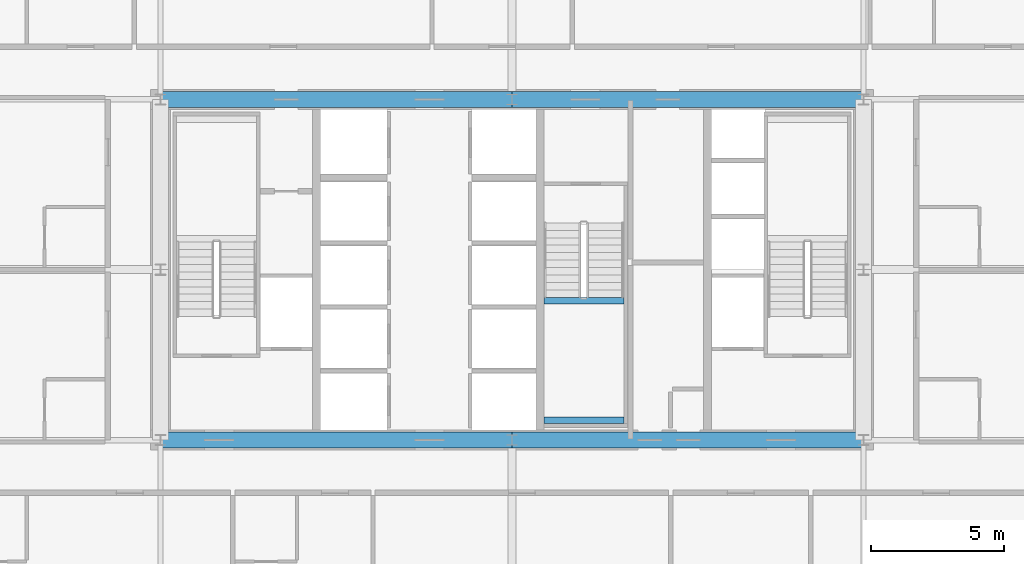
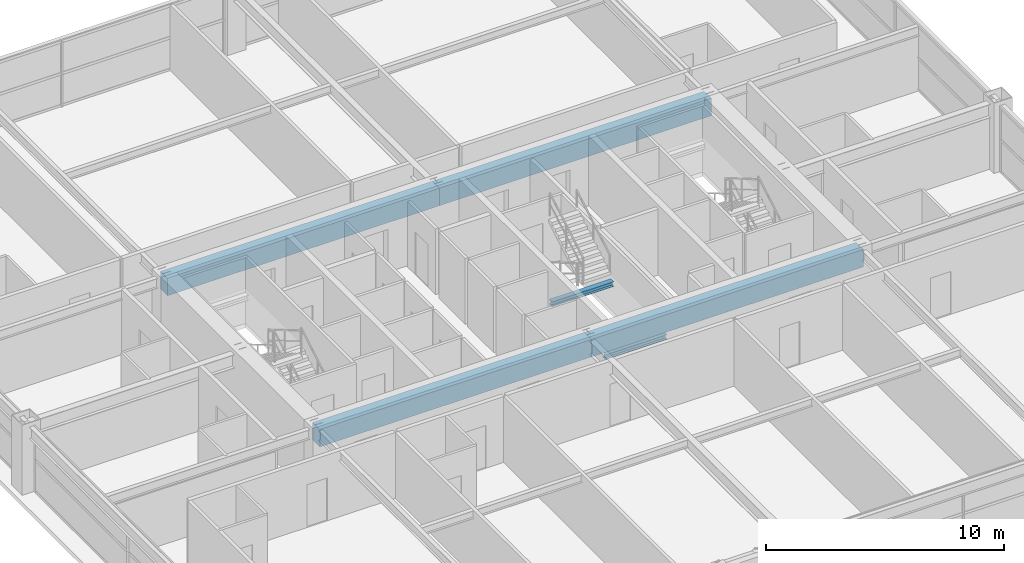
# One storey, part 14 of 43: 6 beams.
"""IFC4 building model written with IfcOpenShell, lengths in metres."""

from ifc_helpers import new_model, si_unit, direction, frame, origin, origin_2d, place, context, subcontext, project, spatial, rectangle, i_section, extrude, source, transform, mapped, material, material_profile, profile_set, type_object, element, save


model = new_model("IFC4")

# Units and contexts
model_context = context("Model", 3, precision=1e-05, world=origin(), true_north=direction((0.0, 1.0)))
body_context = subcontext(model_context, "Body", "Model", "MODEL_VIEW")
ifc_project = project(units=[si_unit("LENGTHUNIT", "METRE"), si_unit("AREAUNIT", "SQUARE_METRE"), si_unit("VOLUMEUNIT", "CUBIC_METRE"), si_unit("PLANEANGLEUNIT", "RADIAN"), si_unit("MASSUNIT", "GRAM", prefix="KILO"), si_unit("THERMODYNAMICTEMPERATUREUNIT", "KELVIN"), si_unit("POWERUNIT", "WATT")], contexts=[model_context])

# Site, building, storey
site_placement = place(None, origin())
site = spatial("IfcSite", under=ifc_project, at=site_placement, CompositionType="ELEMENT")
building_placement = place(site_placement, origin())
building = spatial("IfcBuilding", under=site, at=building_placement, Name="Yuzanri Waterfront Tower", CompositionType="ELEMENT")
storey_placement = place(building_placement, frame((0.0, 0.0, 138.0)))
storey = spatial("IfcBuildingStorey", under=building, at=storey_placement, Name="L36", CompositionType="ELEMENT", Elevation=138.0)

# Beams
ifc_material_1 = material(Name="Concrete C60", Category="concrete")
ifc_material_profile_1 = material_profile(ifc_material_1, rectangle(XDim=0.60009765625, YDim=0.89990234375, at=origin_2d()), Name="RC 600x900")
ifc_profile_set_1 = profile_set([ifc_material_profile_1], Name="Concrete C60")
beam_type_1 = type_object("IfcBeamType", Name="Core Coupling Lintel Concrete C60 600x900", PredefinedType="LINTEL", material=ifc_profile_set_1)
shared_shape_1 = source(origin(), body_context, "Body", "SweptSolid", [
    extrude(rectangle(XDim=0.60009765625, YDim=0.89990234375, at=origin_2d()), origin(), (0.0, 0.0, 1.0), 13.199951171875),
])
for number, where, z_axis, x_axis, name in (
    (1, (23.800048828125, 19.39990234375, 2.929931640625), (1.0, 0.0, 0.0), (0.0, 1.0, 0.0), "L36 Core Tie Beam CS1"),
    (2, (37.0, 19.39990234375, 2.929931640625), (1.0, 0.0, 0.0), (0.0, 1.0, 0.0), "L36 Core Tie Beam CS2"),
    (3, (23.800048828125, 32.199951171875, 2.929931640625), (1.0, 0.0, 0.0), (0.0, 1.0, 0.0), "L36 Core Tie Beam CN1"),
    (4, (37.0, 32.199951171875, 2.929931640625), (1.0, 0.0, 0.0), (0.0, 1.0, 0.0), "L36 Core Tie Beam CN2"),
):
    element("IfcBeam", number, at=place(storey_placement, frame(where, z_axis=z_axis, x_axis=x_axis)), inside=storey, type_object=beam_type_1, Name=name, PredefinedType="LINTEL", context=body_context, shape_type="MappedRepresentation", body=[
        mapped(shared_shape_1, transform((0.0, 0.0, 0.0), scale=1.0)),
    ])
ifc_material_2 = material(Name="Steel Q355B", Category="steel")
ifc_material_profile_2 = material_profile(ifc_material_2, i_section(OverallWidth=0.25, OverallDepth=0.25, WebThickness=0.009033203125, FlangeThickness=0.013916015625, at=origin_2d()), Name="HW 250x250x9x14")
ifc_profile_set_2 = profile_set([ifc_material_profile_2], Name="Steel Q355B")
beam_type_2 = type_object("IfcBeamType", Name="Stair Landing Support Beam Q355B HW 250x250", PredefinedType="BEAM", material=ifc_profile_set_2)
shared_shape_2 = source(origin(), body_context, "Body", "SweptSolid", [
    extrude(i_section(OverallWidth=0.25, OverallDepth=0.25, WebThickness=0.009033203125, FlangeThickness=0.013916015625, at=origin_2d()), origin(), (0.0, 0.0, 1.0), 3.0),
])
for number, where, z_axis, x_axis, name in (
    (5, (38.199951171875, 20.14990234375, 1.47509765625), (1.0, 0.0, 0.0), (0.0, 1.0, 0.0), "L36 Stair Landing Support Beam ST-03-L36-L1-1"),
    (6, (38.199951171875, 24.6298828125, 1.47509765625), (1.0, 0.0, 0.0), (0.0, 1.0, 0.0), "L36 Stair Landing Support Beam ST-03-L36-L1-2"),
):
    element("IfcBeam", number, at=place(storey_placement, frame(where, z_axis=z_axis, x_axis=x_axis)), inside=storey, type_object=beam_type_2, Name=name, PredefinedType="BEAM", context=body_context, shape_type="MappedRepresentation", body=[
        mapped(shared_shape_2, transform((0.0, 0.0, 0.0), scale=1.0)),
    ])

save(model, "model.ifc")
